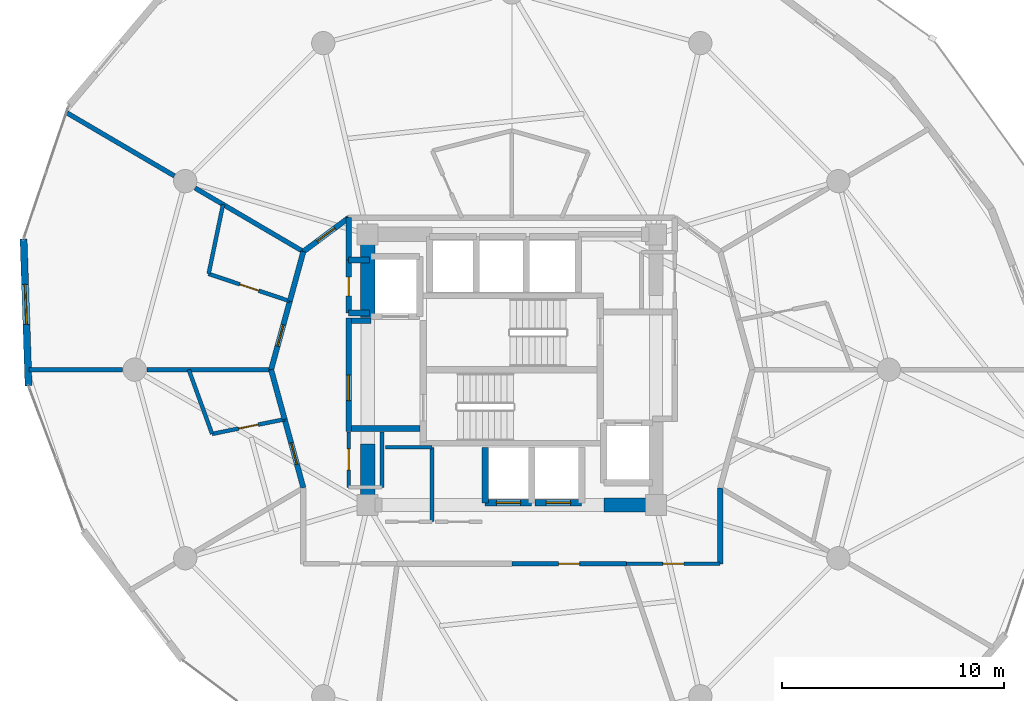
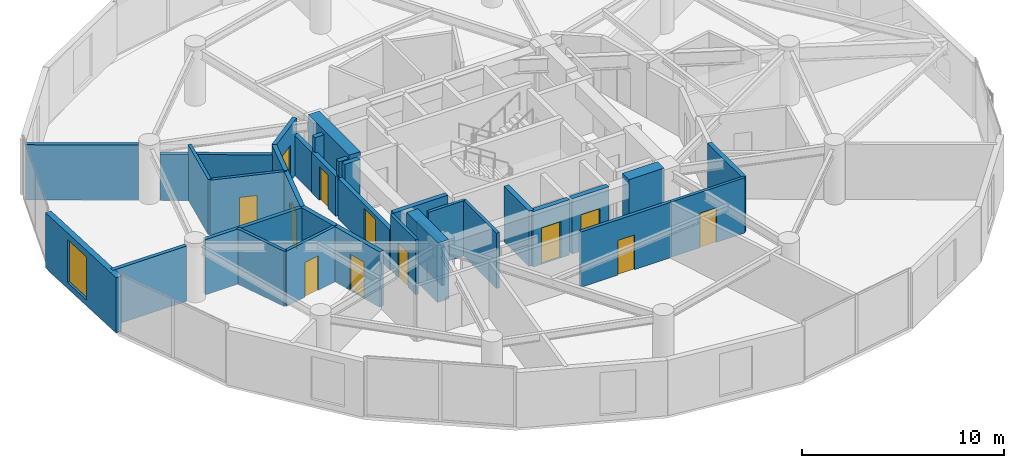
# One storey, part 18 of 23: 34 walls, 12 doors, 1 window, 13 openings.
"""IFC4 building model written with IfcOpenShell, lengths in metres."""

from ifc_helpers import new_model, si_unit, direction, frame, frame_2d, origin, place, context, subcontext, project, spatial, rectangle, extrude, material, layer, layer_set, type_object, element, fill, save


model = new_model("IFC4")

# Units and contexts
model_context = context("Model", 3, precision=1e-05, world=origin(), true_north=direction((0.0, 1.0)))
body_context = subcontext(model_context, "Body", "Model", "MODEL_VIEW")
ifc_project = project(units=[si_unit("LENGTHUNIT", "METRE"), si_unit("AREAUNIT", "SQUARE_METRE"), si_unit("VOLUMEUNIT", "CUBIC_METRE"), si_unit("PLANEANGLEUNIT", "RADIAN"), si_unit("MASSUNIT", "GRAM", prefix="KILO")], contexts=[model_context])

# Site, building, storey
site_placement = place(None, origin())
site = spatial("IfcSite", under=ifc_project, at=site_placement, CompositionType="ELEMENT")
building_placement = place(site_placement, origin())
building = spatial("IfcBuilding", under=site, at=building_placement, Name="Solvirekh Grand Hotel", CompositionType="ELEMENT")
storey_placement = place(building_placement, frame((0.0, 0.0, 109.800048828125)))
storey = spatial("IfcBuildingStorey", under=building, at=storey_placement, Name="L27", CompositionType="ELEMENT", Elevation=109.800048828125)

# Wall, opening, door
ifc_material_1 = material(Name="Concrete C40/50", Category="concrete")
ifc_layer_1 = layer(ifc_material_1, 0.280029296875)
ifc_layer_set_1 = layer_set([ifc_layer_1], Name="Concrete C40/50")
wall_type_1 = type_object("IfcWallType", Name="CoreShaftWall_RC280", PredefinedType="SOLIDWALL", material=ifc_layer_set_1)
wall_1_placement = place(storey_placement, frame((-1.199951171875, -6.0, 0.0), z_axis=(0.0, 0.0, 1.0), x_axis=(1.0, 0.0, 0.0)))
wall_1 = element("IfcWall", 1, at=wall_1_placement, inside=storey, type_object=wall_type_1, Name="L27 MP-1 hoistway S wall", PredefinedType="SOLIDWALL", context=body_context, shape_type="SweptSolid", body=[
    extrude(rectangle(XDim=2.099853515625, YDim=0.280029296875, at=frame_2d((1.0498046875, 0.0))), origin(), (0.0, 0.0, 1.0), 3.349853515625),
])
opening_1_placement = place(wall_1_placement, frame((0.5, 0.0, 0.0)))
opening_1 = element("IfcOpeningElement", 2, at=opening_1_placement, cuts=wall_1, Name="Opening LD01", PredefinedType="OPENING", context=body_context, shape_type="SweptSolid", body=[
    extrude(rectangle(XDim=1.10009765625, YDim=2.199951171875, at=frame_2d((0.550048828125, 1.10009765625))), frame((0.0, 0.14990234375, 0.0), z_axis=(0.0, -1.0, 0.0), x_axis=(1.0, 0.0, 0.0)), (0.0, 0.0, 1.0), 0.300048828125),
])
ifc_material_2 = material(Name="Fire-Rated Steel Door Assembly", Category="steel")
door_type_1 = type_object("IfcDoorType", Name="Door_LiftLanding_1100X2200", OperationType="SLIDING_TO_LEFT", PredefinedType="DOOR", material=ifc_material_2)
door_1_placement = place(opening_1_placement, origin())
door_1 = element("IfcDoor", 3, at=door_1_placement, inside=storey, type_object=door_type_1, Name="L27 MP-1 sliding lift landing door", OperationType="SLIDING_TO_LEFT", OverallHeight=2.199951171875, OverallWidth=1.10009765625, PredefinedType="DOOR", context=body_context, shape_type="SweptSolid", body=[
    extrude(rectangle(XDim=1.10009765625, YDim=2.199951171875, at=frame_2d((0.550048828125, 1.10009765625))), frame((0.0, 0.02490234375, 0.0), z_axis=(0.0, -1.0, 0.0), x_axis=(1.0, 0.0, 0.0)), (0.0, 0.0, 1.0), 0.050048828125),
])
fill(opening_1, door_1)

# Wall
wall_2_placement = place(storey_placement, frame((-1.199951171875, -3.5, 0.0), z_axis=(0.0, 0.0, 1.0), x_axis=(0.0, -1.0, 0.0)))
element("IfcWall", 4, at=wall_2_placement, inside=storey, type_object=wall_type_1, Name="L27 MP-1 hoistway W wall", PredefinedType="SOLIDWALL", context=body_context, shape_type="SweptSolid", body=[
    extrude(rectangle(XDim=2.5, YDim=0.280029296875, at=frame_2d((1.25, 0.0))), origin(), (0.0, 0.0, 1.0), 3.349853515625),
])

# Wall, opening, door
wall_3_placement = place(storey_placement, frame((1.050048828125, -6.0, 0.0), z_axis=(0.0, 0.0, 1.0), x_axis=(1.0, 0.0, 0.0)))
wall_3 = element("IfcWall", 5, at=wall_3_placement, inside=storey, type_object=wall_type_1, Name="L27 MP-2 hoistway S wall", PredefinedType="SOLIDWALL", context=body_context, shape_type="SweptSolid", body=[
    extrude(rectangle(XDim=2.099853515625, YDim=0.280029296875, at=frame_2d((1.0498046875, 0.0))), origin(), (0.0, 0.0, 1.0), 3.349853515625),
])
opening_2_placement = place(wall_3_placement, frame((0.5, 0.0, 0.0)))
opening_2 = element("IfcOpeningElement", 6, at=opening_2_placement, cuts=wall_3, Name="Opening LD01", PredefinedType="OPENING", context=body_context, shape_type="SweptSolid", body=[
    extrude(rectangle(XDim=1.10009765625, YDim=2.199951171875, at=frame_2d((0.550048828125, 1.10009765625))), frame((0.0, 0.14990234375, 0.0), z_axis=(0.0, -1.0, 0.0), x_axis=(1.0, 0.0, 0.0)), (0.0, 0.0, 1.0), 0.300048828125),
])
door_2_placement = place(opening_2_placement, origin())
door_2 = element("IfcDoor", 7, at=door_2_placement, inside=storey, type_object=door_type_1, Name="L27 MP-2 sliding lift landing door", OperationType="SLIDING_TO_LEFT", OverallHeight=2.199951171875, OverallWidth=1.10009765625, PredefinedType="DOOR", context=body_context, shape_type="SweptSolid", body=[
    extrude(rectangle(XDim=1.10009765625, YDim=2.199951171875, at=frame_2d((0.550048828125, 1.10009765625))), frame((0.0, 0.02490234375, 0.0), z_axis=(0.0, -1.0, 0.0), x_axis=(1.0, 0.0, 0.0)), (0.0, 0.0, 1.0), 0.050048828125),
])
fill(opening_2, door_2)

# Walls
ifc_material_3 = material(Name="Concrete C50/60", Category="concrete")
ifc_layer_2 = layer(ifc_material_3, 0.64990234375)
ifc_layer_set_2 = layer_set([ifc_layer_2], Name="Concrete C50/60")
wall_type_2 = type_object("IfcWallType", Name="CoreWall_RC650", PredefinedType="SHEAR", material=ifc_layer_set_2)
wall_4_placement = place(storey_placement, frame((4.14990234375, -6.10009765625, 0.0), z_axis=(0.0, 0.0, 1.0), x_axis=(1.0, 0.0, 0.0)))
element("IfcWall", 8, at=wall_4_placement, inside=storey, type_object=wall_type_2, Name="L27 core corner shear wall SE-S", PredefinedType="SHEAR", context=body_context, shape_type="SweptSolid", body=[
    extrude(rectangle(XDim=2.025146484375, YDim=0.64990234375, at=frame_2d((1.0126953125, 0.0))), origin(), (0.0, 0.0, 1.0), 3.599853515625),
])
wall_5_placement = place(storey_placement, frame((-6.5, 2.35009765625, 0.0), z_axis=(0.0, 0.0, 1.0), x_axis=(0.0, 1.0, 0.0)))
element("IfcWall", 9, at=wall_5_placement, inside=storey, type_object=wall_type_2, Name="L27 core corner shear wall WN-W", PredefinedType="SHEAR", context=body_context, shape_type="SweptSolid", body=[
    extrude(rectangle(XDim=4.074951171875, YDim=0.64990234375, at=frame_2d((2.03759765625, 0.0))), origin(), (0.0, 0.0, 1.0), 3.599853515625),
])
wall_6_placement = place(storey_placement, frame((-6.5, -6.425048828125, 0.0), z_axis=(0.0, 0.0, 1.0), x_axis=(0.0, 1.0, 0.0)))
element("IfcWall", 10, at=wall_6_placement, inside=storey, type_object=wall_type_2, Name="L27 core corner shear wall WS-W", PredefinedType="SHEAR", context=body_context, shape_type="SweptSolid", body=[
    extrude(rectangle(XDim=3.074951171875, YDim=0.64990234375, at=frame_2d((1.53759765625, 0.0))), origin(), (0.0, 0.0, 1.0), 3.599853515625),
])

# Wall, opening, window
ifc_material_4 = material(Name="Precast concrete C45/55", Category="concrete")
ifc_layer_3 = layer(ifc_material_4, 0.320068359375)
ifc_layer_set_3 = layer_set([ifc_layer_3], Name="Precast concrete C45/55")
wall_type_3 = type_object("IfcWallType", Name="ExtLobbyWall_RC320", PredefinedType="SOLIDWALL", material=ifc_layer_set_3)
wall_7_placement = place(storey_placement, frame((-21.785888671875, -0.722900390625, 0.0), z_axis=(0.0, 0.0, 1.0), x_axis=(-0.034040106065, 0.999420467661, 0.0)))
wall_7 = element("IfcWall", 11, at=wall_7_placement, inside=storey, type_object=wall_type_3, Name="L27 exterior structural wall chord 12", PredefinedType="SOLIDWALL", context=body_context, shape_type="SweptSolid", body=[
    extrude(rectangle(XDim=6.61279296875, YDim=0.320068359375, at=frame_2d((3.306396484375, 0.0))), origin(), (0.0, 0.0, 1.0), 3.349853515625),
])
opening_3_placement = place(wall_7_placement, frame((2.76708984375, 0.0, 0.35009765625)))
opening_3 = element("IfcOpeningElement", 12, at=opening_3_placement, cuts=wall_7, Name="Opening W02", PredefinedType="OPENING", context=body_context, shape_type="SweptSolid", body=[
    extrude(rectangle(XDim=1.800048828125, YDim=2.60009765625, at=frame_2d((0.89990234375, 1.300048828125))), frame((0.0, 0.169921875, 0.0), z_axis=(0.0, -1.0, 0.0), x_axis=(1.0, 0.0, 0.0)), (0.0, 0.0, 1.0), 0.340087890625),
])
ifc_material_5 = material(Name="Low-E Tinted Bronze Laminated Glass", Category="aluminium")
window_type = type_object("IfcWindowType", Name="Win_LobbyExt_1800X2600", PartitioningType="SINGLE_PANEL", PredefinedType="WINDOW", material=ifc_material_5)
window_placement = place(opening_3_placement, origin())
window = element("IfcWindow", 13, at=window_placement, inside=storey, type_object=window_type, Name="L27 panoramic bronze-framed window 12", OverallHeight=2.60009765625, OverallWidth=1.800048828125, PartitioningType="SINGLE_PANEL", PredefinedType="WINDOW", context=body_context, shape_type="SweptSolid", body=[
    extrude(rectangle(XDim=1.800048828125, YDim=2.60009765625, at=frame_2d((0.89990234375, 1.300048828125))), frame((0.0, 0.030029296875, 0.0), z_axis=(0.0, -1.0, 0.0), x_axis=(1.0, 0.0, 0.0)), (0.0, 0.0, 1.0), 0.06005859375),
])
fill(opening_3, window)

# Wall
ifc_material_6 = material(Name="Acoustic Gypsum Partition Assembly")
ifc_layer_4 = layer(ifc_material_6, 0.1650390625)
ifc_layer_set_4 = layer_set([ifc_layer_4], Name="Acoustic Gypsum Partition Assembly")
wall_type_4 = type_object("IfcWallType", Name="Part_BOH_165", PredefinedType="PARTITIONING", material=ifc_layer_set_4)
wall_8_placement = place(storey_placement, frame((-5.85009765625, -5.300048828125, 0.0), z_axis=(0.0, 0.0, 1.0), x_axis=(0.0, 1.0, 0.0)))
element("IfcWall", 14, at=wall_8_placement, inside=storey, type_object=wall_type_4, Name="L27 L27 Core Linen Store wall 2", PredefinedType="PARTITIONING", context=body_context, shape_type="SweptSolid", body=[
    extrude(rectangle(XDim=2.5, YDim=0.1650390625, at=frame_2d((1.25, 0.0))), origin(), (0.0, 0.0, 1.0), 2.43505859375),
])

# Wall, opening, door
wall_9_placement = place(storey_placement, frame((-7.35009765625, -2.800048828125, 0.0), z_axis=(0.0, 0.0, 1.0), x_axis=(0.0, -1.0, 0.0)))
wall_9 = element("IfcWall", 15, at=wall_9_placement, inside=storey, type_object=wall_type_4, Name="L27 L27 Core Linen Store wall 4", PredefinedType="PARTITIONING", context=body_context, shape_type="SweptSolid", body=[
    extrude(rectangle(XDim=2.5, YDim=0.1650390625, at=frame_2d((1.25, 0.0))), origin(), (0.0, 0.0, 1.0), 3.349853515625),
])
opening_4_placement = place(wall_9_placement, frame((0.77490234375, 0.0, 0.0)))
opening_4 = element("IfcOpeningElement", 16, at=opening_4_placement, cuts=wall_9, Name="Opening D10", PredefinedType="OPENING", context=body_context, shape_type="SweptSolid", body=[
    extrude(rectangle(XDim=0.949951171875, YDim=2.10009765625, at=frame_2d((0.47509765625, 1.050048828125))), frame((0.0, 0.092529296875, 0.0), z_axis=(0.0, -1.0, 0.0), x_axis=(1.0, 0.0, 0.0)), (0.0, 0.0, 1.0), 0.18505859375),
])
ifc_material_7 = material(Name="Anodized Bronze Aluminium 6063-T6", Category="aluminium")
door_type_2 = type_object("IfcDoorType", Name="Door_RoomInt_950X2100", OperationType="NOTDEFINED", PredefinedType="DOOR", material=ifc_material_7)
door_3_placement = place(opening_4_placement, origin())
door_3 = element("IfcDoor", 17, at=door_3_placement, inside=storey, type_object=door_type_2, Name="L27 L27 Core Linen Store door", OperationType="SINGLE_SWING_LEFT", OverallHeight=2.10009765625, OverallWidth=0.949951171875, PredefinedType="DOOR", context=body_context, shape_type="SweptSolid", body=[
    extrude(rectangle(XDim=0.949951171875, YDim=2.10009765625, at=frame_2d((0.47509765625, 1.050048828125))), frame((0.0, 0.02490234375, 0.0), z_axis=(0.0, -1.0, 0.0), x_axis=(1.0, 0.0, 0.0)), (0.0, 0.0, 1.0), 0.050048828125),
])
fill(opening_4, door_3)

# Walls
wall_10_placement = place(storey_placement, frame((-3.60009765625, -6.85009765625, 0.0), z_axis=(0.0, 0.0, 1.0), x_axis=(0.0, 1.0, 0.0)))
element("IfcWall", 18, at=wall_10_placement, inside=storey, type_object=wall_type_4, Name="L27 Mid-Zone Housekeeping Store wall 2", PredefinedType="PARTITIONING", context=body_context, shape_type="SweptSolid", body=[
    extrude(rectangle(XDim=3.35009765625, YDim=0.1650390625, at=frame_2d((1.675048828125, 0.0))), origin(), (0.0, 0.0, 1.0), 3.349853515625),
])
wall_11_placement = place(storey_placement, frame((-3.60009765625, -3.5, 0.0), z_axis=(0.0, 0.0, 1.0), x_axis=(-1.0, 0.0, 0.0)))
element("IfcWall", 19, at=wall_11_placement, inside=storey, type_object=wall_type_4, Name="L27 Mid-Zone Housekeeping Store wall 3", PredefinedType="PARTITIONING", context=body_context, shape_type="SweptSolid", body=[
    extrude(rectangle(XDim=2.099853515625, YDim=0.1650390625, at=frame_2d((1.0498046875, 0.0))), origin(), (0.0, 0.0, 1.0), 3.349853515625),
])

# Wall, opening, door
wall_12_placement = place(storey_placement, frame((5.16796875, -8.75, 0.0), z_axis=(0.0, 0.0, 1.0), x_axis=(1.0, 0.0, 0.0)))
wall_12 = element("IfcWall", 20, at=wall_12_placement, inside=storey, type_object=wall_type_4, Name="L27 L27 Butler Valet & Linen Steward Room entrance wall", PredefinedType="PARTITIONING", context=body_context, shape_type="SweptSolid", body=[
    extrude(rectangle(XDim=4.22802734375, YDim=0.1650390625, at=frame_2d((2.114013671875, 0.0))), origin(), (0.0, 0.0, 1.0), 3.349853515625),
])
opening_5_placement = place(wall_12_placement, frame((1.638916015625, 0.0, 0.0)))
opening_5 = element("IfcOpeningElement", 21, at=opening_5_placement, cuts=wall_12, Name="Opening D10", PredefinedType="OPENING", context=body_context, shape_type="SweptSolid", body=[
    extrude(rectangle(XDim=0.949951171875, YDim=2.10009765625, at=frame_2d((0.47509765625, 1.050048828125))), frame((0.0, 0.092529296875, 0.0), z_axis=(0.0, -1.0, 0.0), x_axis=(1.0, 0.0, 0.0)), (0.0, 0.0, 1.0), 0.18505859375),
])
door_4_placement = place(opening_5_placement, origin())
door_4 = element("IfcDoor", 22, at=door_4_placement, inside=storey, type_object=door_type_2, Name="L27 L27 Butler Valet & Linen Steward Room entrance door", OperationType="SINGLE_SWING_LEFT", OverallHeight=2.10009765625, OverallWidth=0.949951171875, PredefinedType="DOOR", context=body_context, shape_type="SweptSolid", body=[
    extrude(rectangle(XDim=0.949951171875, YDim=2.10009765625, at=frame_2d((0.47509765625, 1.050048828125))), frame((0.0, 0.02490234375, 0.0), z_axis=(0.0, -1.0, 0.0), x_axis=(1.0, 0.0, 0.0)), (0.0, 0.0, 1.0), 0.050048828125),
])
fill(opening_5, door_4)

ifc_layer_5 = layer(ifc_material_6, 0.239990234375)
ifc_layer_set_5 = layer_set([ifc_layer_5], Name="Acoustic Gypsum Partition Assembly")
wall_type_5 = type_object("IfcWallType", Name="Part_Corridor_240", PredefinedType="PARTITIONING", material=ifc_layer_set_5)
wall_13_placement = place(storey_placement, frame((-7.35009765625, -2.780029296875, 0.0), z_axis=(0.0, 0.0, 1.0), x_axis=(0.0, 1.0, 0.0)))
wall_13 = element("IfcWall", 23, at=wall_13_placement, inside=storey, type_object=wall_type_5, Name="L27 west firefighting lobby smoke screen wall", PredefinedType="PARTITIONING", context=body_context, shape_type="SweptSolid", body=[
    extrude(rectangle(XDim=5.1201171875, YDim=0.239990234375, at=frame_2d((2.56005859375, 0.0))), origin(), (0.0, 0.0, 1.0), 2.43505859375),
])
opening_6_placement = place(wall_13_placement, frame((1.388916015625, 0.0, 0.0)))
opening_6 = element("IfcOpeningElement", 24, at=opening_6_placement, cuts=wall_13, Name="Opening D06", PredefinedType="OPENING", context=body_context, shape_type="SweptSolid", body=[
    extrude(rectangle(XDim=1.14990234375, YDim=2.199951171875, at=frame_2d((0.574951171875, 1.10009765625))), frame((0.0, 0.1298828125, 0.0), z_axis=(0.0, -1.0, 0.0), x_axis=(1.0, 0.0, 0.0)), (0.0, 0.0, 1.0), 0.260009765625),
])
door_type_3 = type_object("IfcDoorType", Name="Door_FFLobby_1150X2200", OperationType="NOTDEFINED", PredefinedType="DOOR", material=ifc_material_2)
door_5_placement = place(opening_6_placement, origin())
door_5 = element("IfcDoor", 25, at=door_5_placement, inside=storey, type_object=door_type_3, Name="L27 west firefighting lobby smoke door", OperationType="SINGLE_SWING_RIGHT", OverallHeight=2.199951171875, OverallWidth=1.14990234375, PredefinedType="DOOR", context=body_context, shape_type="SweptSolid", body=[
    extrude(rectangle(XDim=1.14990234375, YDim=2.199951171875, at=frame_2d((0.574951171875, 1.10009765625))), frame((0.0, 0.02490234375, 0.0), z_axis=(0.0, -1.0, 0.0), x_axis=(1.0, 0.0, 0.0)), (0.0, 0.0, 1.0), 0.050048828125),
])
fill(opening_6, door_5)

# Wall
wall_14_placement = place(storey_placement, frame((-7.35009765625, 4.949951171875, 0.0), z_axis=(0.0, 0.0, 1.0), x_axis=(0.0, 1.0, 0.0)))
element("IfcWall", 26, at=wall_14_placement, inside=storey, type_object=wall_type_5, Name="L27 NW core cheek closure wall", PredefinedType="PARTITIONING", context=body_context, shape_type="SweptSolid", body=[
    extrude(rectangle(XDim=1.900146484375, YDim=0.239990234375, at=frame_2d((0.9501953125, 0.0))), origin(), (0.0, 0.0, 1.0), 2.43505859375),
])

# Wall, opening, door
wall_15_placement = place(storey_placement, frame((-9.39599609375, 5.324951171875, 0.0), z_axis=(0.0, 0.0, 1.0), x_axis=(0.8017416961, 0.597670689205, 0.0)))
wall_15 = element("IfcWall", 27, at=wall_15_placement, inside=storey, type_object=wall_type_5, Name="L27 Panorama Suite 2902 entrance wall", PredefinedType="PARTITIONING", context=body_context, shape_type="SweptSolid", body=[
    extrude(rectangle(XDim=2.5517578125, YDim=0.239990234375, at=frame_2d((1.27587890625, 0.0))), origin(), (0.0, 0.0, 1.0), 3.349853515625),
])
opening_7_placement = place(wall_15_placement, frame((0.77587890625, 0.0, 0.0)))
opening_7 = element("IfcOpeningElement", 28, at=opening_7_placement, cuts=wall_15, Name="Opening D07", PredefinedType="OPENING", context=body_context, shape_type="SweptSolid", body=[
    extrude(rectangle(XDim=1.0, YDim=2.199951171875, at=frame_2d((0.5, 1.10009765625))), frame((0.0, 0.1298828125, 0.0), z_axis=(0.0, -1.0, 0.0), x_axis=(1.0, 0.0, 0.0)), (0.0, 0.0, 1.0), 0.260009765625),
])
door_type_4 = type_object("IfcDoorType", Name="Door_GuestEntry_1000X2200", OperationType="NOTDEFINED", PredefinedType="DOOR", material=ifc_material_2)
door_6_placement = place(opening_7_placement, origin())
door_6 = element("IfcDoor", 29, at=door_6_placement, inside=storey, type_object=door_type_4, Name="L27 Panorama Suite 2902 entrance door", OperationType="SINGLE_SWING_RIGHT", OverallHeight=2.199951171875, OverallWidth=1.0, PredefinedType="DOOR", context=body_context, shape_type="SweptSolid", body=[
    extrude(rectangle(XDim=1.0, YDim=2.199951171875, at=frame_2d((0.5, 1.10009765625))), frame((0.0, 0.02490234375, 0.0), z_axis=(0.0, -1.0, 0.0), x_axis=(1.0, 0.0, 0.0)), (0.0, 0.0, 1.0), 0.050048828125),
])
fill(opening_7, door_6)

# Wall
wall_16_placement = place(storey_placement, frame((-9.39599609375, 5.324951171875, 0.0), z_axis=(0.0, 0.0, 1.0), x_axis=(-0.263643210908, -0.964620265878, 0.0)))
element("IfcWall", 30, at=wall_16_placement, inside=storey, type_object=wall_type_5, Name="L27 En-suite Bathroom 2903 corridor backing wall", PredefinedType="PARTITIONING", context=body_context, shape_type="SweptSolid", body=[
    extrude(rectangle(XDim=2.31787109375, YDim=0.239990234375, at=frame_2d((1.158935546875, 0.0))), origin(), (0.0, 0.0, 1.0), 3.349853515625),
])

# Wall, opening, door
wall_17_placement = place(storey_placement, frame((-10.007080078125, 3.089111328125, 0.0), z_axis=(0.0, 0.0, 1.0), x_axis=(-0.263272237376, -0.964721581093, 0.0)))
wall_17 = element("IfcWall", 31, at=wall_17_placement, inside=storey, type_object=wall_type_5, Name="L27 Deluxe Guestroom 2903 entrance wall", PredefinedType="PARTITIONING", context=body_context, shape_type="SweptSolid", body=[
    extrude(rectangle(XDim=3.2021484375, YDim=0.239990234375, at=frame_2d((1.60107421875, 0.0))), origin(), (0.0, 0.0, 1.0), 3.349853515625),
])
opening_8_placement = place(wall_17_placement, frame((1.10107421875, 0.0, 0.0)))
opening_8 = element("IfcOpeningElement", 32, at=opening_8_placement, cuts=wall_17, Name="Opening D07", PredefinedType="OPENING", context=body_context, shape_type="SweptSolid", body=[
    extrude(rectangle(XDim=1.0, YDim=2.199951171875, at=frame_2d((0.5, 1.10009765625))), frame((0.0, 0.1298828125, 0.0), z_axis=(0.0, -1.0, 0.0), x_axis=(1.0, 0.0, 0.0)), (0.0, 0.0, 1.0), 0.260009765625),
])
door_7_placement = place(opening_8_placement, origin())
door_7 = element("IfcDoor", 33, at=door_7_placement, inside=storey, type_object=door_type_4, Name="L27 Deluxe Guestroom 2903 entrance door", OperationType="SINGLE_SWING_RIGHT", OverallHeight=2.199951171875, OverallWidth=1.0, PredefinedType="DOOR", context=body_context, shape_type="SweptSolid", body=[
    extrude(rectangle(XDim=1.0, YDim=2.199951171875, at=frame_2d((0.5, 1.10009765625))), frame((0.0, 0.02490234375, 0.0), z_axis=(0.0, -1.0, 0.0), x_axis=(1.0, 0.0, 0.0)), (0.0, 0.0, 1.0), 0.050048828125),
])
fill(opening_8, door_7)

# Wall
wall_18_placement = place(storey_placement, frame((-10.85009765625, 0.0, 0.0), z_axis=(0.0, 0.0, 1.0), x_axis=(0.263616426241, -0.964627586074, 0.0)))
element("IfcWall", 34, at=wall_18_placement, inside=storey, type_object=wall_type_5, Name="L27 En-suite Bathroom 2904 corridor backing wall", PredefinedType="PARTITIONING", context=body_context, shape_type="SweptSolid", body=[
    extrude(rectangle(XDim=2.318115234375, YDim=0.239990234375, at=frame_2d((1.1591796875, 0.0))), origin(), (0.0, 0.0, 1.0), 3.349853515625),
])

# Wall, opening, door
wall_19_placement = place(storey_placement, frame((-10.239013671875, -2.236083984375, 0.0), z_axis=(0.0, 0.0, 1.0), x_axis=(0.26329160366, -0.964716295831, 0.0)))
wall_19 = element("IfcWall", 35, at=wall_19_placement, inside=storey, type_object=wall_type_5, Name="L27 Deluxe Guestroom 2904 entrance wall", PredefinedType="PARTITIONING", context=body_context, shape_type="SweptSolid", body=[
    extrude(rectangle(XDim=3.201904296875, YDim=0.239990234375, at=frame_2d((1.60107421875, 0.0))), origin(), (0.0, 0.0, 1.0), 3.349853515625),
])
opening_9_placement = place(wall_19_placement, frame((1.10107421875, 0.0, 0.0)))
opening_9 = element("IfcOpeningElement", 36, at=opening_9_placement, cuts=wall_19, Name="Opening D07", PredefinedType="OPENING", context=body_context, shape_type="SweptSolid", body=[
    extrude(rectangle(XDim=1.0, YDim=2.199951171875, at=frame_2d((0.5, 1.10009765625))), frame((0.0, 0.1298828125, 0.0), z_axis=(0.0, -1.0, 0.0), x_axis=(1.0, 0.0, 0.0)), (0.0, 0.0, 1.0), 0.260009765625),
])
door_8_placement = place(opening_9_placement, origin())
door_8 = element("IfcDoor", 37, at=door_8_placement, inside=storey, type_object=door_type_4, Name="L27 Deluxe Guestroom 2904 entrance door", OperationType="SINGLE_SWING_RIGHT", OverallHeight=2.199951171875, OverallWidth=1.0, PredefinedType="DOOR", context=body_context, shape_type="SweptSolid", body=[
    extrude(rectangle(XDim=1.0, YDim=2.199951171875, at=frame_2d((0.5, 1.10009765625))), frame((0.0, 0.02490234375, 0.0), z_axis=(0.0, -1.0, 0.0), x_axis=(1.0, 0.0, 0.0)), (0.0, 0.0, 1.0), 0.050048828125),
])
fill(opening_9, door_8)

# Wall
wall_20_placement = place(storey_placement, frame((9.39599609375, -8.75, 0.0), z_axis=(0.0, 0.0, 1.0), x_axis=(0.0, 1.0, 0.0)))
element("IfcWall", 38, at=wall_20_placement, inside=storey, type_object=wall_type_5, Name="L27 L27 Butler Valet & Linen Steward Room corridor wall 1", PredefinedType="PARTITIONING", context=body_context, shape_type="SweptSolid", body=[
    extrude(rectangle(XDim=3.425048828125, YDim=0.239990234375, at=frame_2d((1.71240234375, 0.0))), origin(), (0.0, 0.0, 1.0), 3.349853515625),
])

# Wall, opening, door
ifc_layer_6 = layer(ifc_material_6, 0.18994140625)
ifc_layer_set_6 = layer_set([ifc_layer_6], Name="Acoustic Gypsum Partition Assembly")
wall_type_6 = type_object("IfcWallType", Name="Part_GuestDemise_190", PredefinedType="PARTITIONING", material=ifc_layer_set_6)
wall_21_placement = place(storey_placement, frame((0.0, -8.75, 0.0), z_axis=(0.0, 0.0, 1.0), x_axis=(1.0, 0.0, 0.0)))
wall_21 = element("IfcWall", 39, at=wall_21_placement, inside=storey, type_object=wall_type_6, Name="L27 L27 Riverfront Reading Lounge entrance wall", PredefinedType="PARTITIONING", context=body_context, shape_type="SweptSolid", body=[
    extrude(rectangle(XDim=5.16796875, YDim=0.18994140625, at=frame_2d((2.583984375, 0.0))), origin(), (0.0, 0.0, 1.0), 3.349853515625),
])
opening_10_placement = place(wall_21_placement, frame((2.10888671875, 0.0, 0.0)))
opening_10 = element("IfcOpeningElement", 40, at=opening_10_placement, cuts=wall_21, Name="Opening D10", PredefinedType="OPENING", context=body_context, shape_type="SweptSolid", body=[
    extrude(rectangle(XDim=0.949951171875, YDim=2.10009765625, at=frame_2d((0.47509765625, 1.050048828125))), frame((0.0, 0.10498046875, 0.0), z_axis=(0.0, -1.0, 0.0), x_axis=(1.0, 0.0, 0.0)), (0.0, 0.0, 1.0), 0.2099609375),
])
door_9_placement = place(opening_10_placement, origin())
door_9 = element("IfcDoor", 41, at=door_9_placement, inside=storey, type_object=door_type_2, Name="L27 L27 Riverfront Reading Lounge entrance door", OperationType="SINGLE_SWING_RIGHT", OverallHeight=2.10009765625, OverallWidth=0.949951171875, PredefinedType="DOOR", context=body_context, shape_type="SweptSolid", body=[
    extrude(rectangle(XDim=0.949951171875, YDim=2.10009765625, at=frame_2d((0.47509765625, 1.050048828125))), frame((0.0, 0.02490234375, 0.0), z_axis=(0.0, -1.0, 0.0), x_axis=(1.0, 0.0, 0.0)), (0.0, 0.0, 1.0), 0.050048828125),
])
fill(opening_10, door_9)

# Walls
ifc_layer_7 = layer(ifc_material_6, 0.260009765625)
ifc_layer_set_7 = layer_set([ifc_layer_7], Name="Acoustic Gypsum Partition Assembly")
wall_type_7 = type_object("IfcWallType", Name="Part_LobbyFF_260", PredefinedType="PARTITIONING", material=ifc_layer_set_7)
wall_22_placement = place(storey_placement, frame((-7.22509765625, -2.64990234375, 0.0), z_axis=(0.0, 0.0, 1.0), x_axis=(1.0, 0.0, 0.0)))
element("IfcWall", 42, at=wall_22_placement, inside=storey, type_object=wall_type_7, Name="L27 west firefighting lobby south partition", PredefinedType="PARTITIONING", context=body_context, shape_type="SweptSolid", body=[
    extrude(rectangle(XDim=3.09521484375, YDim=0.260009765625, at=frame_2d((1.547607421875, 0.0))), origin(), (0.0, 0.0, 1.0), 3.349853515625),
])
wall_23_placement = place(storey_placement, frame((-7.22509765625, 2.2099609375, 0.0), z_axis=(0.0, 0.0, 1.0), x_axis=(1.0, 0.0, 0.0)))
element("IfcWall", 43, at=wall_23_placement, inside=storey, type_object=wall_type_7, Name="L27 west firefighting lobby NW cheek", PredefinedType="PARTITIONING", context=body_context, shape_type="SweptSolid", body=[
    extrude(rectangle(XDim=0.875, YDim=0.260009765625, at=frame_2d((0.4375, 0.0))), origin(), (0.0, 0.0, 1.0), 3.349853515625),
])
for number, where, z_axis, x_axis, name in (
    (44, (-7.35009765625, 4.949951171875, 0.0), (0.0, 0.0, 1.0), (1.0, 0.0, 0.0), "L27 NW telecom metering cupboard north wall"),
    (45, (-7.35009765625, 2.550048828125, 0.0), (0.0, 0.0, 1.0), (1.0, 0.0, 0.0), "L27 NW telecom metering cupboard south wall"),
):
    element("IfcWall", number, at=place(storey_placement, frame(where, z_axis=z_axis, x_axis=x_axis)), inside=storey, type_object=wall_type_7, Name=name, PredefinedType="PARTITIONING", context=body_context, shape_type="SweptSolid", body=[
        extrude(rectangle(XDim=0.93017578125, YDim=0.260009765625, at=frame_2d((0.465087890625, 0.0))), origin(), (0.0, 0.0, 1.0), 3.349853515625),
    ])

# Wall, opening, door
wall_24_placement = place(storey_placement, frame((-7.35009765625, 2.550048828125, 0.0), z_axis=(0.0, 0.0, 1.0), x_axis=(0.0, 1.0, 0.0)))
wall_24 = element("IfcWall", 46, at=wall_24_placement, inside=storey, type_object=wall_type_7, Name="L27 NW telecom metering cupboard access wall", PredefinedType="PARTITIONING", context=body_context, shape_type="SweptSolid", body=[
    extrude(rectangle(XDim=2.39990234375, YDim=0.260009765625, at=frame_2d((1.199951171875, 0.0))), origin(), (0.0, 0.0, 1.0), 2.43505859375),
])
opening_11_placement = place(wall_24_placement, frame((0.77490234375, 0.0, 0.0)))
opening_11 = element("IfcOpeningElement", 47, at=opening_11_placement, cuts=wall_24, Name="Opening D13", PredefinedType="OPENING", context=body_context, shape_type="SweptSolid", body=[
    extrude(rectangle(XDim=0.85009765625, YDim=2.050048828125, at=frame_2d((0.425048828125, 1.02490234375))), frame((0.0, 0.14013671875, 0.0), z_axis=(0.0, -1.0, 0.0), x_axis=(1.0, 0.0, 0.0)), (0.0, 0.0, 1.0), 0.280029296875),
])
door_type_5 = type_object("IfcDoorType", Name="Door_RiserShaft_850X2050", OperationType="NOTDEFINED", PredefinedType="DOOR", material=ifc_material_2)
door_10_placement = place(opening_11_placement, origin())
door_10 = element("IfcDoor", 48, at=door_10_placement, inside=storey, type_object=door_type_5, Name="L27 telecom metering cupboard access door", OperationType="SINGLE_SWING_RIGHT", OverallHeight=2.050048828125, OverallWidth=0.85009765625, PredefinedType="DOOR", context=body_context, shape_type="SweptSolid", body=[
    extrude(rectangle(XDim=0.85009765625, YDim=2.050048828125, at=frame_2d((0.425048828125, 1.02490234375))), frame((0.0, 0.02490234375, 0.0), z_axis=(0.0, -1.0, 0.0), x_axis=(1.0, 0.0, 0.0)), (0.0, 0.0, 1.0), 0.050048828125),
])
fill(opening_11, door_10)

# Walls
ifc_layer_8 = layer(ifc_material_6, 0.2099609375)
ifc_layer_set_8 = layer_set([ifc_layer_8], Name="Acoustic Gypsum Partition Assembly")
wall_type_8 = type_object("IfcWallType", Name="Part_SuiteDemise_210", PredefinedType="PARTITIONING", material=ifc_layer_set_8)
wall_25_placement = place(storey_placement, frame((-9.39599609375, 5.324951171875, 0.0), z_axis=(0.0, 0.0, 1.0), x_axis=(-0.862467386777, 0.50611264235, 0.0)))
element("IfcWall", 49, at=wall_25_placement, inside=storey, type_object=wall_type_8, Name="L27 suite radial wall 6 (A)", PredefinedType="PARTITIONING", context=body_context, shape_type="SweptSolid", body=[
    extrude(rectangle(XDim=5.656982421875, YDim=0.2099609375, at=frame_2d((2.82861328125, 0.0))), origin(), (0.0, 0.0, 1.0), 2.791015625),
])
wall_26_placement = place(storey_placement, frame((-15.2119140625, 8.738037109375, 0.0), z_axis=(0.0, 0.0, 1.0), x_axis=(-0.862556345738, 0.505961016706, 0.0)))
element("IfcWall", 50, at=wall_26_placement, inside=storey, type_object=wall_type_8, Name="L27 suite radial wall 6 (B)", PredefinedType="PARTITIONING", context=body_context, shape_type="SweptSolid", body=[
    extrude(rectangle(XDim=5.60302734375, YDim=0.2099609375, at=frame_2d((2.801513671875, 0.0))), origin(), (0.0, 0.0, 1.0), 3.349853515625),
])
wall_27_placement = place(storey_placement, frame((-10.85009765625, 0.0, 0.0), z_axis=(0.0, 0.0, 1.0), x_axis=(-1.0, 0.0, 0.0)))
element("IfcWall", 51, at=wall_27_placement, inside=storey, type_object=wall_type_8, Name="L27 suite radial wall 7 (A)", PredefinedType="PARTITIONING", context=body_context, shape_type="SweptSolid", body=[
    extrude(rectangle(XDim=5.60498046875, YDim=0.2099609375, at=frame_2d((2.802490234375, 0.0))), origin(), (0.0, 0.0, 1.0), 3.349853515625),
])
wall_28_placement = place(storey_placement, frame((-17.544921875, 0.0, 0.0), z_axis=(0.0, 0.0, 1.0), x_axis=(-1.0, 0.0, 0.0)))
element("IfcWall", 52, at=wall_28_placement, inside=storey, type_object=wall_type_8, Name="L27 suite radial wall 7 (B)", PredefinedType="PARTITIONING", context=body_context, shape_type="SweptSolid", body=[
    extrude(rectangle(XDim=4.22607421875, YDim=0.2099609375, at=frame_2d((2.113037109375, 0.0))), origin(), (0.0, 0.0, 1.0), 3.349853515625),
])
ifc_layer_9 = layer(ifc_material_6, 0.175048828125)
ifc_layer_set_9 = layer_set([ifc_layer_9], Name="Acoustic Gypsum Partition Assembly")
wall_type_9 = type_object("IfcWallType", Name="Plumb_Ensuite_175", PredefinedType="PLUMBINGWALL", material=ifc_layer_set_9)
wall_29_placement = place(storey_placement, frame((-13.01708984375, 7.448974609375, 0.0), z_axis=(0.0, 0.0, 1.0), x_axis=(-0.203136275653, -0.979150475419, 0.0)))
element("IfcWall", 53, at=wall_29_placement, inside=storey, type_object=wall_type_9, Name="L27 En-suite Bathroom 2903 outer plumbing wall", PredefinedType="PLUMBINGWALL", context=body_context, shape_type="SweptSolid", body=[
    extrude(rectangle(XDim=3.194580078125, YDim=0.175048828125, at=frame_2d((1.59716796875, 0.0))), origin(), (0.0, 0.0, 1.0), 3.349853515625),
])

# Wall, opening, door
wall_30_placement = place(storey_placement, frame((-10.007080078125, 3.089111328125, 0.0), z_axis=(0.0, 0.0, 1.0), x_axis=(-0.947724103288, 0.319090933822, 0.0)))
wall_30 = element("IfcWall", 54, at=wall_30_placement, inside=storey, type_object=wall_type_9, Name="L27 En-suite Bathroom 2903 entry plumbing wall", PredefinedType="PLUMBINGWALL", context=body_context, shape_type="SweptSolid", body=[
    extrude(rectangle(XDim=3.86083984375, YDim=0.175048828125, at=frame_2d((1.930419921875, 0.0))), origin(), (0.0, 0.0, 1.0), 3.349853515625),
])
opening_12_placement = place(wall_30_placement, frame((1.47998046875, 0.0, 0.0)))
opening_12 = element("IfcOpeningElement", 55, at=opening_12_placement, cuts=wall_30, Name="Opening D09", PredefinedType="OPENING", context=body_context, shape_type="SweptSolid", body=[
    extrude(rectangle(XDim=0.89990234375, YDim=2.10009765625, at=frame_2d((0.449951171875, 1.050048828125))), frame((0.0, 0.09765625, 0.0), z_axis=(0.0, -1.0, 0.0), x_axis=(1.0, 0.0, 0.0)), (0.0, 0.0, 1.0), 0.195068359375),
])
door_type_6 = type_object("IfcDoorType", Name="Door_Ensuite_900X2100", OperationType="NOTDEFINED", PredefinedType="DOOR", material=ifc_material_7)
door_11_placement = place(opening_12_placement, origin())
door_11 = element("IfcDoor", 56, at=door_11_placement, inside=storey, type_object=door_type_6, Name="L27 En-suite Bathroom 2903 door", OperationType="SINGLE_SWING_LEFT", OverallHeight=2.10009765625, OverallWidth=0.89990234375, PredefinedType="DOOR", context=body_context, shape_type="SweptSolid", body=[
    extrude(rectangle(XDim=0.89990234375, YDim=2.10009765625, at=frame_2d((0.449951171875, 1.050048828125))), frame((0.0, 0.02490234375, 0.0), z_axis=(0.0, -1.0, 0.0), x_axis=(1.0, 0.0, 0.0)), (0.0, 0.0, 1.0), 0.050048828125),
])
fill(opening_12, door_11)

# Wall
wall_31_placement = place(storey_placement, frame((-14.56298828125, 0.0, 0.0), z_axis=(0.0, 0.0, 1.0), x_axis=(0.342092982083, -0.939666106449, 0.0)))
element("IfcWall", 57, at=wall_31_placement, inside=storey, type_object=wall_type_9, Name="L27 En-suite Bathroom 2904 outer plumbing wall", PredefinedType="PLUMBINGWALL", context=body_context, shape_type="SweptSolid", body=[
    extrude(rectangle(XDim=3.080810546875, YDim=0.175048828125, at=frame_2d((1.54052734375, 0.0))), origin(), (0.0, 0.0, 1.0), 3.349853515625),
])

# Wall, opening, door
wall_32_placement = place(storey_placement, frame((-10.239013671875, -2.236083984375, 0.0), z_axis=(0.0, 0.0, 1.0), x_axis=(-0.980295333609, -0.197537487338, 0.0)))
wall_32 = element("IfcWall", 58, at=wall_32_placement, inside=storey, type_object=wall_type_9, Name="L27 En-suite Bathroom 2904 entry plumbing wall", PredefinedType="PLUMBINGWALL", context=body_context, shape_type="SweptSolid", body=[
    extrude(rectangle(XDim=3.335693359375, YDim=0.175048828125, at=frame_2d((1.66796875, 0.0))), origin(), (0.0, 0.0, 1.0), 3.349853515625),
])
opening_13_placement = place(wall_32_placement, frame((1.218017578125, 0.0, 0.0)))
opening_13 = element("IfcOpeningElement", 59, at=opening_13_placement, cuts=wall_32, Name="Opening D09", PredefinedType="OPENING", context=body_context, shape_type="SweptSolid", body=[
    extrude(rectangle(XDim=0.89990234375, YDim=2.10009765625, at=frame_2d((0.449951171875, 1.050048828125))), frame((0.0, 0.09765625, 0.0), z_axis=(0.0, -1.0, 0.0), x_axis=(1.0, 0.0, 0.0)), (0.0, 0.0, 1.0), 0.195068359375),
])
door_12_placement = place(opening_13_placement, origin())
door_12 = element("IfcDoor", 60, at=door_12_placement, inside=storey, type_object=door_type_6, Name="L27 En-suite Bathroom 2904 door", OperationType="SINGLE_SWING_LEFT", OverallHeight=2.10009765625, OverallWidth=0.89990234375, PredefinedType="DOOR", context=body_context, shape_type="SweptSolid", body=[
    extrude(rectangle(XDim=0.89990234375, YDim=2.10009765625, at=frame_2d((0.449951171875, 1.050048828125))), frame((0.0, 0.02490234375, 0.0), z_axis=(0.0, -1.0, 0.0), x_axis=(1.0, 0.0, 0.0)), (0.0, 0.0, 1.0), 0.050048828125),
])
fill(opening_13, door_12)

save(model, "model.ifc")
